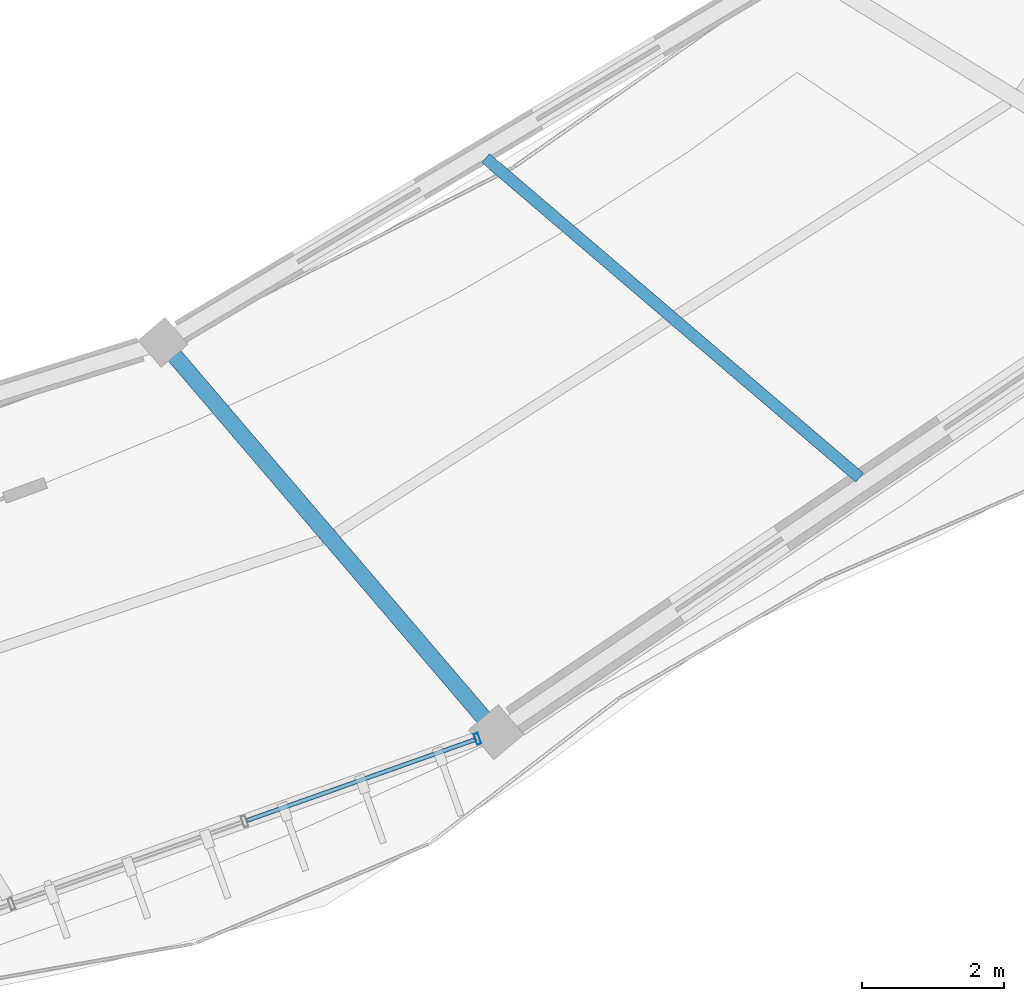
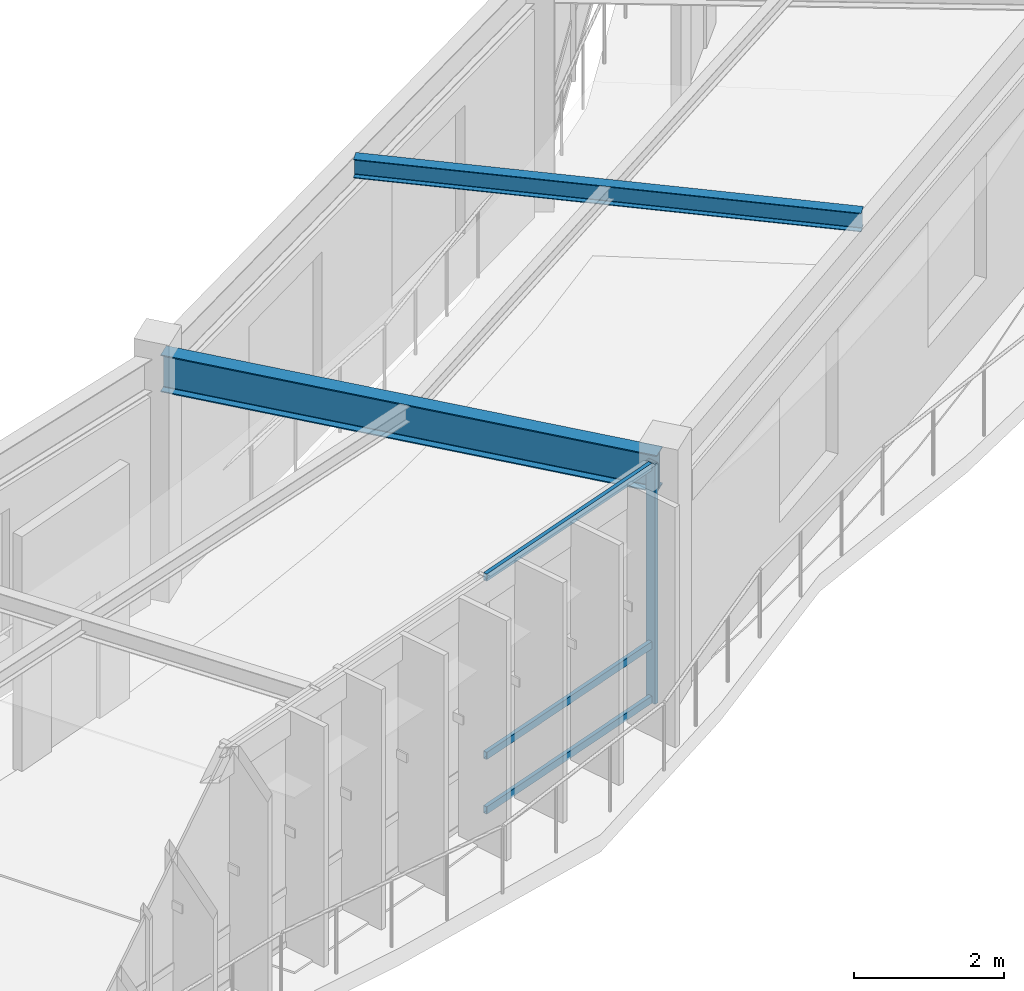
# One storey, part 46 of 79: 4 members, 2 beams, 1 element without a shape of its own.
"""IFC4 building model written with IfcOpenShell, lengths in metres."""

from ifc_helpers import new_model, si_unit, direction, frame, origin, origin_2d, place, context, subcontext, project, spatial, hollow_rectangle, i_section, extrude, material, material_profile, profile_set, type_object, element, aggregate, save


model = new_model("IFC4")

# Units and contexts
model_context = context("Model", 3, precision=1e-05, world=origin(), true_north=direction((0.0, 1.0)))
body_context = subcontext(model_context, "Body", "Model", "MODEL_VIEW")
ifc_project = project(units=[si_unit("LENGTHUNIT", "METRE"), si_unit("AREAUNIT", "SQUARE_METRE"), si_unit("VOLUMEUNIT", "CUBIC_METRE"), si_unit("PLANEANGLEUNIT", "RADIAN"), si_unit("MASSUNIT", "GRAM", prefix="KILO"), si_unit("THERMODYNAMICTEMPERATUREUNIT", "KELVIN"), si_unit("POWERUNIT", "WATT")], contexts=[model_context])

# Site, building, storey
site_placement = place(None, origin())
site = spatial("IfcSite", under=ifc_project, at=site_placement, CompositionType="ELEMENT")
building_placement = place(site_placement, origin())
building = spatial("IfcBuilding", under=site, at=building_placement, Name="Darbajah Civic Hall", CompositionType="ELEMENT")
storey_placement = place(building_placement, frame((0.0, 0.0, 22.199951171875)))
storey = spatial("IfcBuildingStorey", under=building, at=storey_placement, Name="L05", CompositionType="ELEMENT", Elevation=22.199951171875)

# Curtain wall, members
ifc_material_1 = material(Name="Anodised Bronze Aluminium and Low-E Glazing", Category="aluminium")
curtain_wall_type = type_object("IfcCurtainWallType", Name="Unitised Curtain Wall CW-85 13900x3900", PredefinedType="USERDEFINED", material=ifc_material_1)
curtain_wall_placement = place(storey_placement, origin())
curtain_wall = element("IfcCurtainWall", 1, at=curtain_wall_placement, inside=storey, type_object=curtain_wall_type, Name="L05 unitised curtain wall CW-V1O-L05-16", ObjectType="UNITISED CURTAIN WALL", PredefinedType="USERDEFINED")
ifc_material_2 = material(Name="Anodised Bronze Aluminium", Category="aluminium")
ifc_material_profile_1 = material_profile(ifc_material_2, hollow_rectangle(XDim=0.06005859375, YDim=0.159912109375, WallThickness=0.00341796875, at=origin_2d()), Name="ALU MULLION 60x160")
ifc_profile_set_1 = profile_set([ifc_material_profile_1], Name="Anodised Bronze Aluminium")
member_type_1 = type_object("IfcMemberType", Name="ALU MULLION 60x160", PredefinedType="MULLION", material=ifc_profile_set_1)
member_1_placement = place(storey_placement, frame((121.960693359375, 67.275390625, 0.0), z_axis=(0.0, 0.0, 1.0), x_axis=(0.94252491309, 0.334135882844, 0.0)))
member_1 = element("IfcMember", 2, at=member_1_placement, type_object=member_type_1, Name="CW-V1O-L05-16 mullion 5", PredefinedType="MULLION", context=body_context, shape_type="SweptSolid", body=[
    extrude(hollow_rectangle(XDim=0.06005859375, YDim=0.159912109375, WallThickness=0.00341796875, at=origin_2d()), origin(), (0.0, 0.0, 1.0), 3.920166015625),
])
ifc_material_profile_2 = material_profile(ifc_material_2, hollow_rectangle(XDim=0.06005859375, YDim=0.1201171875, WallThickness=0.003173828125, at=origin_2d()), Name="ALU TRANSOM 60x120")
ifc_profile_set_2 = profile_set([ifc_material_profile_2], Name="Anodised Bronze Aluminium")
member_type_2 = type_object("IfcMemberType", Name="ALU TRANSOM 60x120", PredefinedType="USERDEFINED", material=ifc_profile_set_2)
member_2_placement = place(storey_placement, frame((118.72314453125, 66.127685546875, 0.06005859375), z_axis=(0.942509476541, 0.334179422811, 0.0), x_axis=(-0.334179422811, 0.942509476541, 0.0)))
member_2 = element("IfcMember", 3, at=member_2_placement, type_object=member_type_2, Name="CW-V1O-L05-16 transom 4.1", ObjectType="TRANSOM", PredefinedType="USERDEFINED", context=body_context, shape_type="SweptSolid", body=[
    extrude(hollow_rectangle(XDim=0.06005859375, YDim=0.1201171875, WallThickness=0.003173828125, at=origin_2d()), origin(), (0.0, 0.0, 1.0), 3.400146484375),
])
member_3_placement = place(storey_placement, frame((118.72314453125, 66.127685546875, 0.949951171875), z_axis=(0.942509476541, 0.334179422811, 0.0), x_axis=(-0.334179422811, 0.942509476541, 0.0)))
member_3 = element("IfcMember", 4, at=member_3_placement, type_object=member_type_2, Name="CW-V1O-L05-16 transom 4.2", ObjectType="TRANSOM", PredefinedType="USERDEFINED", context=body_context, shape_type="SweptSolid", body=[
    extrude(hollow_rectangle(XDim=0.06005859375, YDim=0.1201171875, WallThickness=0.003173828125, at=origin_2d()), origin(), (0.0, 0.0, 1.0), 3.400146484375),
])
member_4_placement = place(storey_placement, frame((118.72314453125, 66.127685546875, 3.860107421875), z_axis=(0.942509476541, 0.334179422811, 0.0), x_axis=(-0.334179422811, 0.942509476541, 0.0)))
member_4 = element("IfcMember", 5, at=member_4_placement, type_object=member_type_2, Name="CW-V1O-L05-16 transom 4.3", ObjectType="TRANSOM", PredefinedType="USERDEFINED", context=body_context, shape_type="SweptSolid", body=[
    extrude(hollow_rectangle(XDim=0.06005859375, YDim=0.1201171875, WallThickness=0.003173828125, at=origin_2d()), origin(), (0.0, 0.0, 1.0), 3.400146484375),
])
aggregate(curtain_wall, [member_1, member_2, member_3, member_4])

# Beams
ifc_material_3 = material(Name="Steel S355JR", Category="steel")
ifc_material_profile_3 = material_profile(ifc_material_3, i_section(OverallWidth=0.165771484375, OverallDepth=0.306640625, WebThickness=0.006591796875, FlangeThickness=0.01171875, FilletRadius=0.0087890625, at=origin_2d()), Name="UB 305x165x46")
ifc_profile_set_3 = profile_set([ifc_material_profile_3], Name="Steel S355JR")
beam_type_1 = type_object("IfcBeamType", Name="UB 305x165x46", PredefinedType="JOIST", material=ifc_profile_set_3)
beam_1_placement = place(storey_placement, frame((122.076416015625, 75.4267578125, 3.766845703125), z_axis=(0.760398784195, -0.649456456581, 0.0), x_axis=(0.649456456581, 0.760398784195, 0.0)))
element("IfcBeam", 6, at=beam_1_placement, inside=storey, type_object=beam_type_1, Name="L05 beam SJ-305", PredefinedType="JOIST", context=body_context, shape_type="SweptSolid", body=[
    extrude(i_section(OverallWidth=0.165771484375, OverallDepth=0.306640625, WebThickness=0.006591796875, FlangeThickness=0.01171875, FilletRadius=0.0087890625, at=origin_2d()), origin(), (0.0, 0.0, 1.0), 6.9033203125),
])
ifc_material_profile_4 = material_profile(ifc_material_3, i_section(OverallWidth=0.228271484375, OverallDepth=0.607666015625, WebThickness=0.010986328125, FlangeThickness=0.017333984375, FilletRadius=0.0126953125, at=origin_2d()), Name="UB 610x229x113")
ifc_profile_set_4 = profile_set([ifc_material_profile_4], Name="Steel S355JR")
beam_type_2 = type_object("IfcBeamType", Name="UB 610x229x113", PredefinedType="BEAM", material=ifc_profile_set_4)
beam_2_placement = place(storey_placement, frame((117.597900390625, 72.781982421875, 3.6162109375), z_axis=(0.649439482197, -0.760413281686, 0.0), x_axis=(0.760413281686, 0.649439482197, 0.0)))
element("IfcBeam", 7, at=beam_2_placement, inside=storey, type_object=beam_type_2, Name="L05 beam SB-610", PredefinedType="BEAM", context=body_context, shape_type="SweptSolid", body=[
    extrude(i_section(OverallWidth=0.228271484375, OverallDepth=0.607666015625, WebThickness=0.010986328125, FlangeThickness=0.017333984375, FilletRadius=0.0126953125, at=origin_2d()), origin(), (0.0, 0.0, 1.0), 7.0400390625),
])

save(model, "model.ifc")
